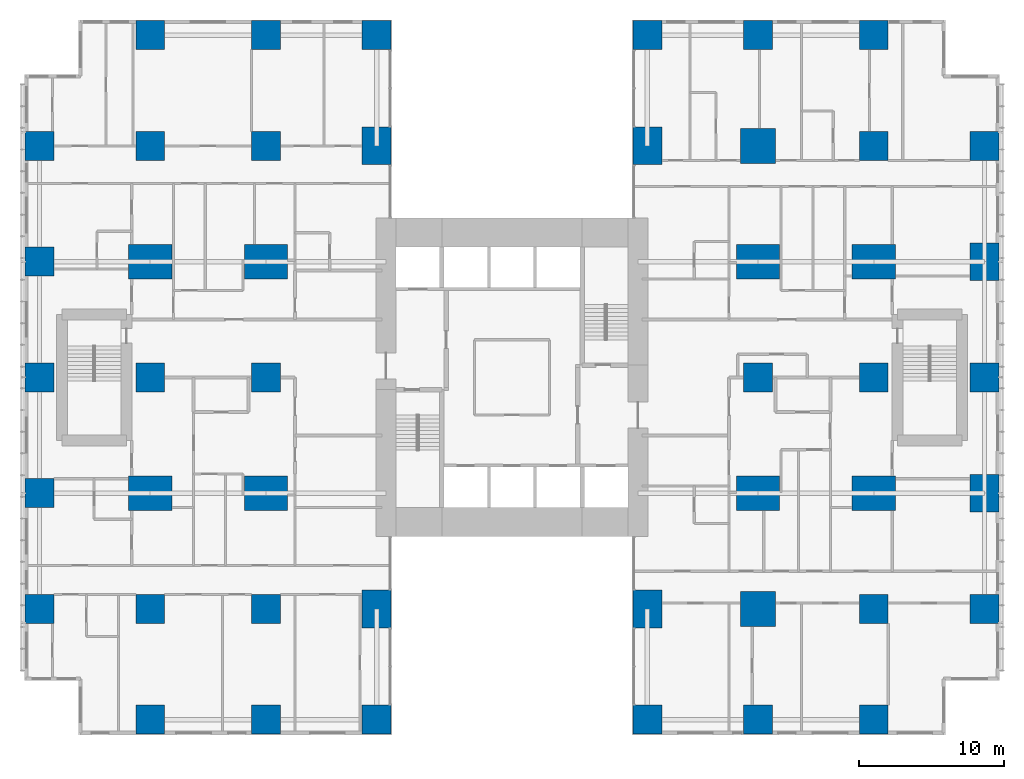
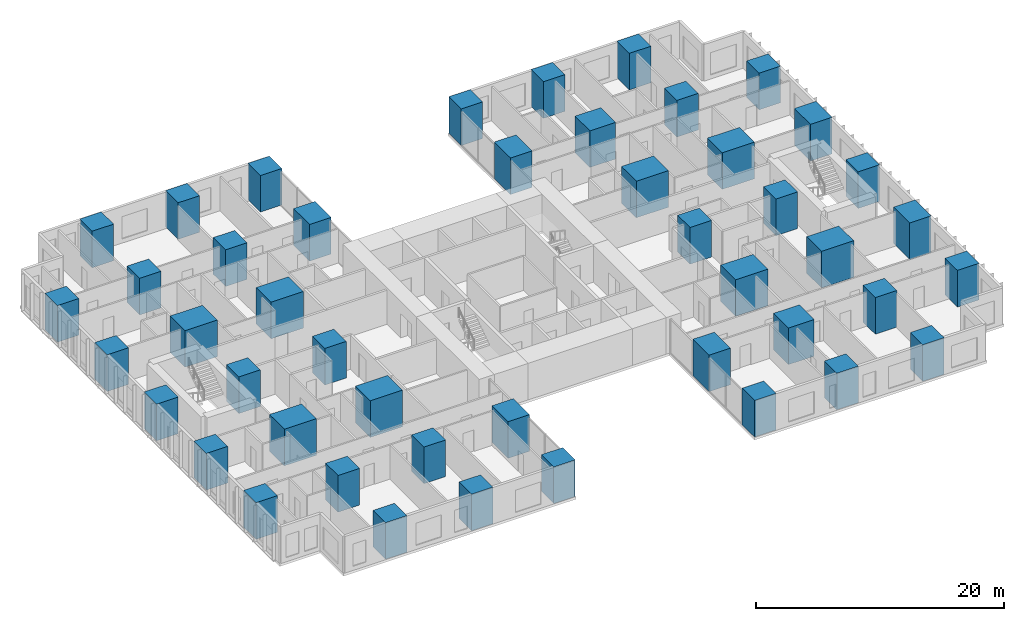
# One storey, part 1 of 20: 46 columns.
"""IFC4 building model written with IfcOpenShell, lengths in metres."""

from ifc_helpers import new_model, si_unit, direction, frame, origin, origin_2d, place, context, subcontext, project, spatial, rectangle, extrude, material, material_profile, profile_set, type_object, element, save


model = new_model("IFC4")

# Units and contexts
model_context = context("Model", 3, precision=1e-05, world=origin(), true_north=direction((0.0, 1.0)))
body_context = subcontext(model_context, "Body", "Model", "MODEL_VIEW")
ifc_project = project(units=[si_unit("LENGTHUNIT", "METRE"), si_unit("AREAUNIT", "SQUARE_METRE"), si_unit("VOLUMEUNIT", "CUBIC_METRE"), si_unit("PLANEANGLEUNIT", "RADIAN"), si_unit("MASSUNIT", "GRAM", prefix="KILO")], contexts=[model_context])

# Site, building, storey
site_placement = place(None, origin())
site = spatial("IfcSite", under=ifc_project, at=site_placement, CompositionType="ELEMENT")
building_placement = place(site_placement, origin())
building = spatial("IfcBuilding", under=site, at=building_placement, Name="Cleftline Residences", CompositionType="ELEMENT")
storey_placement = place(building_placement, frame((0.0, 0.0, 150.199951171875)))
storey = spatial("IfcBuildingStorey", under=building, at=storey_placement, Name="L39", CompositionType="ELEMENT", Elevation=150.199951171875)

# Columns
ifc_material_1 = material(Name="Concrete B70", Category="concrete")
ifc_material_profile_1 = material_profile(ifc_material_1, rectangle(XDim=2.0, YDim=2.0, at=origin_2d()))
ifc_profile_set_1 = profile_set([ifc_material_profile_1], Name="Concrete B70")
column_type_1 = type_object("IfcColumnType", Name="COLUMN RC2000X2000", PredefinedType="COLUMN", material=ifc_profile_set_1)
for number, where, z_axis, x_axis, name in (
    (1, (0.35009765625, 8.0, 0.0), (0.0, 0.0, 1.0), (1.0, 0.0, 0.0), "Column D/3"),
    (2, (0.35009765625, 16.0, 0.0), (0.0, 0.0, 1.0), (1.0, 0.0, 0.0), "Column E/3"),
    (3, (0.35009765625, 24.0, 0.0), (0.0, 0.0, 1.0), (1.0, 0.0, 0.0), "Column F/3"),
    (4, (0.35009765625, 32.0, 0.0), (0.0, 0.0, 1.0), (1.0, 0.0, 0.0), "Column G/3"),
    (5, (0.35009765625, 40.0, 0.0), (0.0, 0.0, 1.0), (1.0, 0.0, 0.0), "Column H/3"),
    (6, (8.0, 0.35009765625, 0.0), (0.0, 0.0, 1.0), (1.0, 0.0, 0.0), "Column C/4"),
    (7, (8.0, 8.0, 0.0), (0.0, 0.0, 1.0), (1.0, 0.0, 0.0), "Column D/4"),
    (8, (8.0, 24.0, 0.0), (0.0, 0.0, 1.0), (1.0, 0.0, 0.0), "Column F/4"),
    (9, (8.0, 40.0, 0.0), (0.0, 0.0, 1.0), (1.0, 0.0, 0.0), "Column H/4"),
    (10, (8.0, 47.64990234375, 0.0), (0.0, 0.0, 1.0), (1.0, 0.0, 0.0), "Column J/4"),
    (11, (16.0, 0.35009765625, 0.0), (0.0, 0.0, 1.0), (1.0, 0.0, 0.0), "Column C/5"),
    (12, (16.0, 8.0, 0.0), (0.0, 0.0, 1.0), (1.0, 0.0, 0.0), "Column D/5"),
    (13, (16.0, 24.0, 0.0), (0.0, 0.0, 1.0), (1.0, 0.0, 0.0), "Column F/5"),
    (14, (16.0, 40.0, 0.0), (0.0, 0.0, 1.0), (1.0, 0.0, 0.0), "Column H/5"),
    (15, (16.0, 47.64990234375, 0.0), (0.0, 0.0, 1.0), (1.0, 0.0, 0.0), "Column J/5"),
    (16, (23.64990234375, 0.35009765625, 0.0), (0.0, 0.0, 1.0), (1.0, 0.0, 0.0), "Column C/6"),
    (17, (23.64990234375, 47.64990234375, 0.0), (0.0, 0.0, 1.0), (1.0, 0.0, 0.0), "Column J/6"),
    (18, (42.35009765625, 0.35009765625, 0.0), (0.0, 0.0, 1.0), (1.0, 0.0, 0.0), "Column C/8"),
    (19, (42.35009765625, 47.64990234375, 0.0), (0.0, 0.0, 1.0), (1.0, 0.0, 0.0), "Column J/8"),
    (20, (50.0, 0.35009765625, 0.0), (0.0, 0.0, 1.0), (1.0, 0.0, 0.0), "Column C/9"),
    (21, (50.0, 24.0, 0.0), (0.0, 0.0, 1.0), (1.0, 0.0, 0.0), "Column F/9"),
    (22, (50.0, 47.64990234375, 0.0), (0.0, 0.0, 1.0), (1.0, 0.0, 0.0), "Column J/9"),
    (23, (58.0, 0.35009765625, 0.0), (0.0, 0.0, 1.0), (1.0, 0.0, 0.0), "Column C/10"),
    (24, (58.0, 8.0, 0.0), (0.0, 0.0, 1.0), (1.0, 0.0, 0.0), "Column D/10"),
    (25, (58.0, 24.0, 0.0), (0.0, 0.0, 1.0), (1.0, 0.0, 0.0), "Column F/10"),
    (26, (58.0, 40.0, 0.0), (0.0, 0.0, 1.0), (1.0, 0.0, 0.0), "Column H/10"),
    (27, (58.0, 47.64990234375, 0.0), (0.0, 0.0, 1.0), (1.0, 0.0, 0.0), "Column J/10"),
    (28, (65.64990234375, 8.0, 0.0), (0.0, 0.0, 1.0), (1.0, 0.0, 0.0), "Column D/11"),
    (29, (65.64990234375, 24.0, 0.0), (0.0, 0.0, 1.0), (1.0, 0.0, 0.0), "Column F/11"),
    (30, (65.64990234375, 40.0, 0.0), (0.0, 0.0, 1.0), (1.0, 0.0, 0.0), "Column H/11"),
):
    element("IfcColumn", number, at=place(storey_placement, frame(where, z_axis=z_axis, x_axis=x_axis)), inside=storey, type_object=column_type_1, Name=name, PredefinedType="COLUMN", context=body_context, shape_type="SweptSolid", body=[
        extrude(rectangle(XDim=2.0, YDim=2.0, at=origin_2d()), origin(), (0.0, 0.0, 1.0), 3.60009765625),
    ])
ifc_material_2 = material(Name="Concrete B70", Category="concrete")
ifc_material_profile_2 = material_profile(ifc_material_2, rectangle(XDim=2.0, YDim=2.60009765625, at=origin_2d()))
ifc_profile_set_2 = profile_set([ifc_material_profile_2], Name="Concrete B70")
column_type_2 = type_object("IfcColumnType", Name="COLUMN RC2000X2600", PredefinedType="COLUMN", material=ifc_profile_set_2)
for number, where, z_axis, x_axis, name in (
    (31, (23.64990234375, 8.0, 0.0), (0.0, 0.0, 1.0), (1.0, 0.0, 0.0), "Column D/6"),
    (32, (23.64990234375, 40.0, 0.0), (0.0, 0.0, 1.0), (1.0, 0.0, 0.0), "Column H/6"),
    (33, (42.35009765625, 8.0, 0.0), (0.0, 0.0, 1.0), (1.0, 0.0, 0.0), "Column D/8"),
    (34, (42.35009765625, 40.0, 0.0), (0.0, 0.0, 1.0), (1.0, 0.0, 0.0), "Column H/8"),
):
    element("IfcColumn", number, at=place(storey_placement, frame(where, z_axis=z_axis, x_axis=x_axis)), inside=storey, type_object=column_type_2, Name=name, PredefinedType="COLUMN", context=body_context, shape_type="SweptSolid", body=[
        extrude(rectangle(XDim=2.0, YDim=2.60009765625, at=origin_2d()), origin(), (0.0, 0.0, 1.0), 3.60009765625),
    ])
ifc_material_3 = material(Name="Concrete B70", Category="concrete")
ifc_material_profile_3 = material_profile(ifc_material_3, rectangle(XDim=2.39990234375, YDim=2.39990234375, at=origin_2d()))
ifc_profile_set_3 = profile_set([ifc_material_profile_3], Name="Concrete B70")
column_type_3 = type_object("IfcColumnType", Name="COLUMN RC2400X2400", PredefinedType="COLUMN", material=ifc_profile_set_3)
for number, where, z_axis, x_axis, name in (
    (35, (50.0, 8.0, 0.0), (0.0, 0.0, 1.0), (1.0, 0.0, 0.0), "Column D/9"),
    (36, (50.0, 40.0, 0.0), (0.0, 0.0, 1.0), (1.0, 0.0, 0.0), "Column H/9"),
):
    element("IfcColumn", number, at=place(storey_placement, frame(where, z_axis=z_axis, x_axis=x_axis)), inside=storey, type_object=column_type_3, Name=name, PredefinedType="COLUMN", context=body_context, shape_type="SweptSolid", body=[
        extrude(rectangle(XDim=2.39990234375, YDim=2.39990234375, at=origin_2d()), origin(), (0.0, 0.0, 1.0), 3.60009765625),
    ])
ifc_material_4 = material(Name="Concrete B70", Category="concrete")
ifc_material_profile_4 = material_profile(ifc_material_4, rectangle(XDim=2.60009765625, YDim=2.0, at=origin_2d()))
ifc_profile_set_4 = profile_set([ifc_material_profile_4], Name="Concrete B70")
column_type_4 = type_object("IfcColumnType", Name="COLUMN RC2600X2000", PredefinedType="COLUMN", material=ifc_profile_set_4)
for number, where, z_axis, x_axis, name in (
    (37, (65.64990234375, 16.0, 0.0), (0.0, 0.0, 1.0), (0.0, 1.0, 0.0), "Column E/11"),
    (38, (65.64990234375, 32.0, 0.0), (0.0, 0.0, 1.0), (0.0, 1.0, 0.0), "Column G/11"),
):
    element("IfcColumn", number, at=place(storey_placement, frame(where, z_axis=z_axis, x_axis=x_axis)), inside=storey, type_object=column_type_4, Name=name, PredefinedType="COLUMN", context=body_context, shape_type="SweptSolid", body=[
        extrude(rectangle(XDim=2.60009765625, YDim=2.0, at=origin_2d()), origin(), (0.0, 0.0, 1.0), 3.60009765625),
    ])
ifc_material_5 = material(Name="Concrete B70", Category="concrete")
ifc_material_profile_5 = material_profile(ifc_material_5, rectangle(XDim=3.0, YDim=2.39990234375, at=origin_2d()))
ifc_profile_set_5 = profile_set([ifc_material_profile_5], Name="Concrete B70")
column_type_5 = type_object("IfcColumnType", Name="COLUMN RC3000X2400", PredefinedType="COLUMN", material=ifc_profile_set_5)
for number, where, z_axis, x_axis, name in (
    (39, (8.0, 16.0, 0.0), (0.0, 0.0, 1.0), (1.0, 0.0, 0.0), "Column E/4"),
    (40, (8.0, 32.0, 0.0), (0.0, 0.0, 1.0), (1.0, 0.0, 0.0), "Column G/4"),
    (41, (16.0, 16.0, 0.0), (0.0, 0.0, 1.0), (1.0, 0.0, 0.0), "Column E/5"),
    (42, (16.0, 32.0, 0.0), (0.0, 0.0, 1.0), (1.0, 0.0, 0.0), "Column G/5"),
    (43, (50.0, 16.0, 0.0), (0.0, 0.0, 1.0), (1.0, 0.0, 0.0), "Column E/9"),
    (44, (50.0, 32.0, 0.0), (0.0, 0.0, 1.0), (1.0, 0.0, 0.0), "Column G/9"),
    (45, (58.0, 16.0, 0.0), (0.0, 0.0, 1.0), (1.0, 0.0, 0.0), "Column E/10"),
    (46, (58.0, 32.0, 0.0), (0.0, 0.0, 1.0), (1.0, 0.0, 0.0), "Column G/10"),
):
    element("IfcColumn", number, at=place(storey_placement, frame(where, z_axis=z_axis, x_axis=x_axis)), inside=storey, type_object=column_type_5, Name=name, PredefinedType="COLUMN", context=body_context, shape_type="SweptSolid", body=[
        extrude(rectangle(XDim=3.0, YDim=2.39990234375, at=origin_2d()), origin(), (0.0, 0.0, 1.0), 3.60009765625),
    ])

save(model, "model.ifc")
